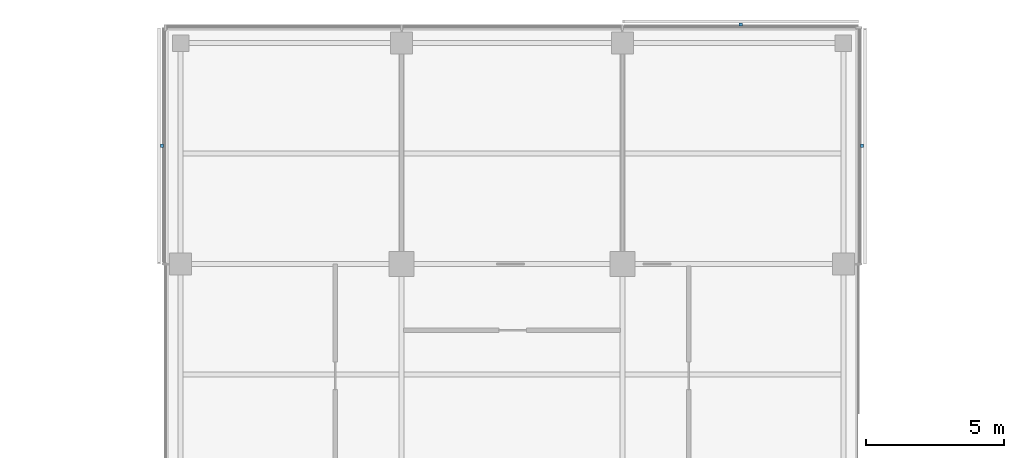
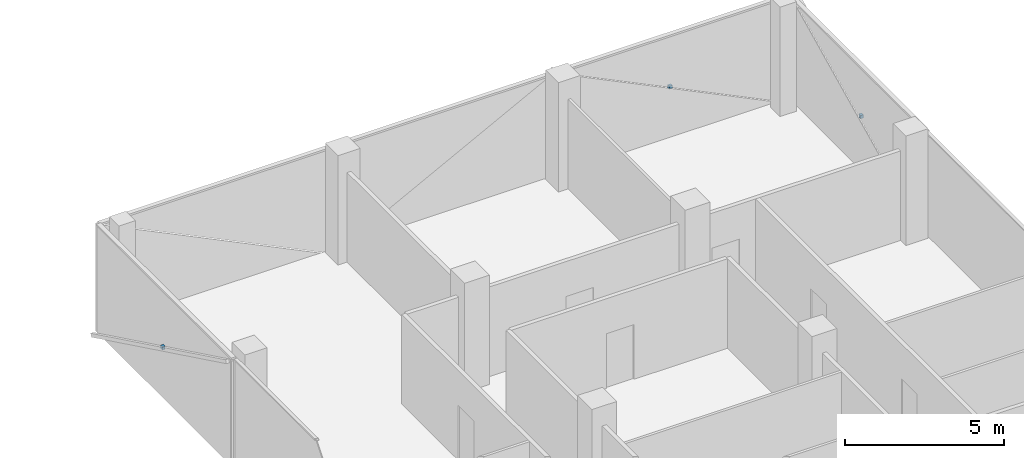
# One storey, part 14 of 15: 3 discrete accessories.
"""IFC4 building model written with IfcOpenShell, lengths in metres."""

from ifc_helpers import new_model, si_unit, direction, frame, origin, origin_2d, place, context, subcontext, project, spatial, rectangle, extrude, material, type_object, element, save


model = new_model("IFC4")

# Units and contexts
model_context = context("Model", 3, precision=1e-05, world=origin(), true_north=direction((0.0, 1.0)))
body_context = subcontext(model_context, "Body", "Model", "MODEL_VIEW")
ifc_project = project(units=[si_unit("LENGTHUNIT", "METRE"), si_unit("AREAUNIT", "SQUARE_METRE"), si_unit("VOLUMEUNIT", "CUBIC_METRE"), si_unit("PLANEANGLEUNIT", "RADIAN"), si_unit("MASSUNIT", "GRAM", prefix="KILO")], contexts=[model_context])

# Site, building, storey
site_placement = place(None, origin())
site = spatial("IfcSite", under=ifc_project, at=site_placement, CompositionType="ELEMENT")
building_placement = place(site_placement, origin())
building = spatial("IfcBuilding", under=site, at=building_placement, Name="Crosswind Convention Tower", CompositionType="ELEMENT")
storey_placement = place(building_placement, frame((0.0, 0.0, 199.89990234375)))
storey = spatial("IfcBuildingStorey", under=building, at=storey_placement, Name="L42", CompositionType="ELEMENT", Elevation=199.89990234375)

# Discrete accessories
ifc_material = material(Name="Stainless steel", Category="steel")
discrete_accessory_type = type_object("IfcDiscreteAccessoryType", Name="BAGUETTE BRACKET BK3", PredefinedType="BRACKET", material=ifc_material)
for number, where, z_axis, x_axis, name in (
    (1, (137.676025390625, 124.280029296875, 1.705078125), (0.0, 0.0, 1.0), (0.0, 1.0, 0.0), "BK3 baguette bracket"),
    (2, (133.280029296875, 128.676025390625, 1.705078125), (0.0, 0.0, 1.0), (-1.0, 0.0, 0.0), "BK3 baguette bracket"),
    (3, (112.323974609375, 124.280029296875, 1.705078125), (0.0, 0.0, 1.0), (0.0, -1.0, 0.0), "BK3 baguette bracket"),
):
    element("IfcDiscreteAccessory", number, at=place(storey_placement, frame(where, z_axis=z_axis, x_axis=x_axis)), inside=storey, type_object=discrete_accessory_type, Name=name, PredefinedType="BRACKET", context=body_context, shape_type="SweptSolid", body=[
        extrude(rectangle(XDim=0.1201171875, YDim=0.10009765625, at=origin_2d()), origin(), (0.0, 0.0, 1.0), 0.1201171875),
    ])

save(model, "model.ifc")
